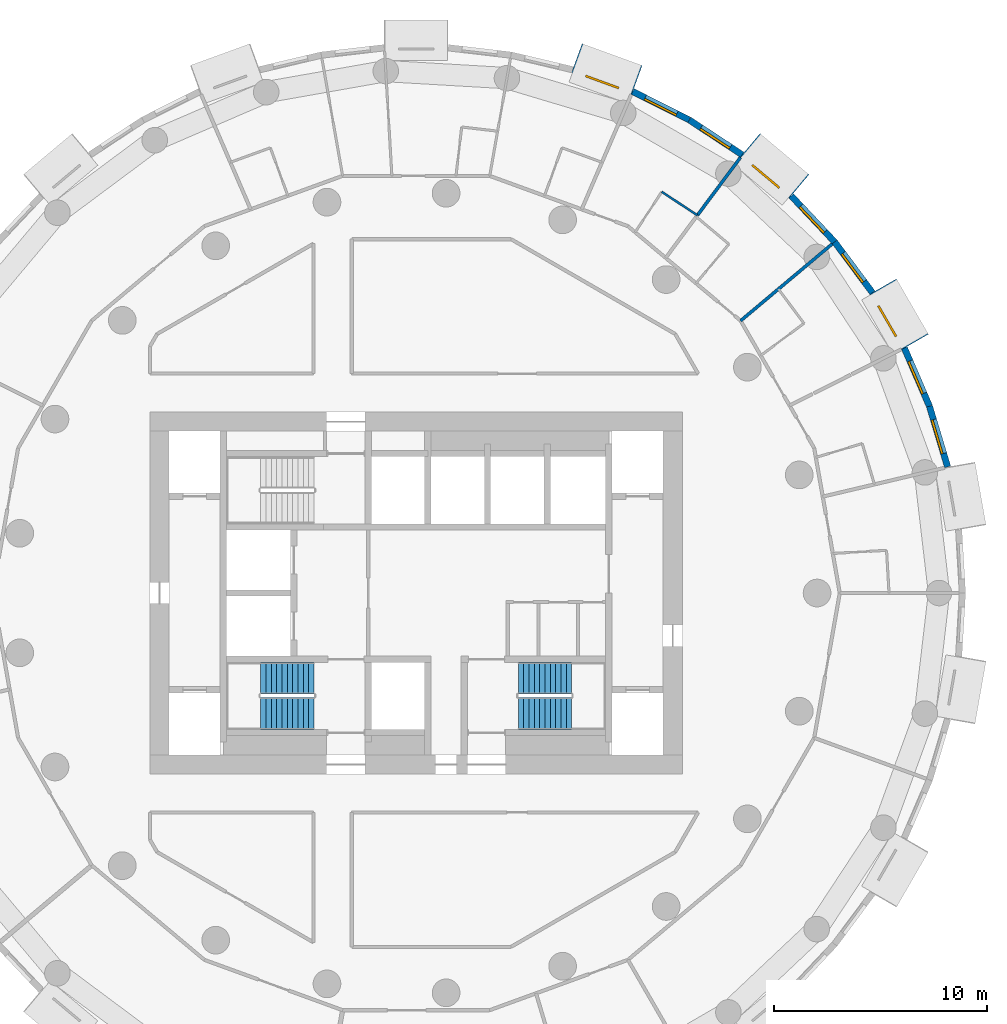
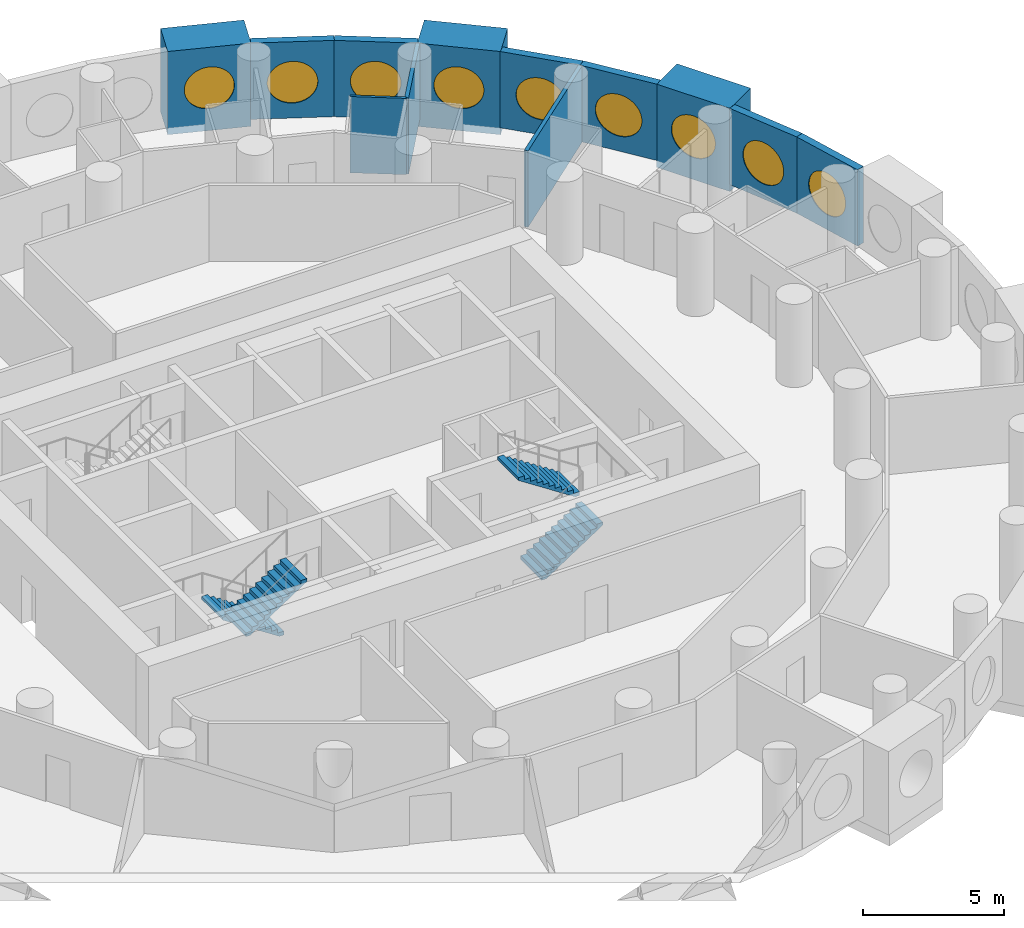
# One storey, part 8 of 10: 12 walls, 9 windows, 4 stair flights, 9 openings, 2 elements without a shape of their own.
"""IFC4 building model written with IfcOpenShell, lengths in metres."""

from ifc_helpers import new_model, si_unit, direction, frame, frame_2d, origin, origin_2d, place, context, subcontext, project, spatial, polyline, rectangle, circle, outline, extrude, material, layer, layer_set, type_object, element, fill, aggregate, save


model = new_model("IFC4")

# Units and contexts
model_context = context("Model", 3, precision=1e-05, world=origin(), true_north=direction((0.0, 1.0)))
body_context = subcontext(model_context, "Body", "Model", "MODEL_VIEW")
ifc_project = project(units=[si_unit("LENGTHUNIT", "METRE"), si_unit("AREAUNIT", "SQUARE_METRE"), si_unit("VOLUMEUNIT", "CUBIC_METRE"), si_unit("PLANEANGLEUNIT", "RADIAN"), si_unit("MASSUNIT", "GRAM", prefix="KILO")], contexts=[model_context])

# Site, building, storey
site_placement = place(None, origin())
site = spatial("IfcSite", under=ifc_project, at=site_placement, CompositionType="ELEMENT")
building_placement = place(site_placement, origin())
building = spatial("IfcBuilding", under=site, at=building_placement, Name="Tracery Tower", CompositionType="ELEMENT")
storey_placement = place(building_placement, frame((0.0, 0.0, 158.39990234375)))
storey = spatial("IfcBuildingStorey", under=building, at=storey_placement, Name="L40", CompositionType="ELEMENT", Elevation=158.39990234375)

# Wall, opening, window
ifc_material_1 = material(Name="Precast concrete C50/60", Category="concrete")
ifc_layer_1 = layer(ifc_material_1, 1.449951171875)
ifc_layer_set_1 = layer_set([ifc_layer_1], Name="Deep-set bay unit 3000 x 3600, slab edge 300")
wall_type_1 = type_object("IfcWallType", Name="Deep-set bay unit 3000 x 3600, slab edge 300", PredefinedType="ELEMENTEDWALL", material=ifc_layer_set_1)
wall_1_placement = place(storey_placement, frame((23.421630859375, 11.79052734375, -0.2998046875), z_axis=(0.0, 0.0, 1.0), x_axis=(-0.499990139034, 0.866031096941, 0.0)))
wall_1 = element("IfcWall", 1, at=wall_1_placement, inside=storey, type_object=wall_type_1, Name="Deep-set bay unit 5 at L40", PredefinedType="ELEMENTEDWALL", context=body_context, shape_type="SweptSolid", body=[
    extrude(rectangle(XDim=3.0, YDim=1.449951171875, at=frame_2d((1.5, 0.0))), origin(), (0.0, 0.0, 1.0), 3.599853515625),
])
opening_1_placement = place(wall_1_placement, frame((1.5, 0.0, 1.85009765625)))
opening_1 = element("IfcOpeningElement", 2, at=opening_1_placement, cuts=wall_1, Name="Opening WN1", PredefinedType="OPENING", context=body_context, shape_type="SweptSolid", body=[
    extrude(circle(Radius=0.9000244140625, at=origin_2d()), frame((0.0, 0.73486328125, 0.0), z_axis=(0.0, -1.0, 0.0), x_axis=(1.0, 0.0, 0.0)), (0.0, 0.0, 1.0), 1.469970703125),
])
ifc_material_2 = material(Name="Aluminium frame with tinted double glazing", Category="aluminium")
window_type = type_object("IfcWindowType", Name="Round window 1800", PartitioningType="SINGLE_PANEL", PredefinedType="WINDOW", material=ifc_material_2)
window_1_placement = place(opening_1_placement, origin())
window_1 = element("IfcWindow", 3, at=window_1_placement, inside=storey, type_object=window_type, Name="Round window 5 at L40", OverallHeight=1.800048828125, OverallWidth=1.800048828125, PartitioningType="SINGLE_PANEL", PredefinedType="WINDOW", context=body_context, shape_type="SweptSolid", body=[
    extrude(circle(Radius=0.9000244140625, at=origin_2d()), frame((0.0, 0.69482421875, 0.0), z_axis=(0.0, -1.0, 0.0), x_axis=(1.0, 0.0, 0.0)), (0.0, 0.0, 1.0), 0.10009765625),
])
fill(opening_1, window_1)

wall_2_placement = place(storey_placement, frame((17.9765625, 19.090087890625, -0.2998046875), z_axis=(0.0, 0.0, 1.0), x_axis=(-0.766022196139, 0.642814121673, 0.0)))
wall_2 = element("IfcWall", 4, at=wall_2_placement, inside=storey, type_object=wall_type_1, Name="Deep-set bay unit 8 at L40", PredefinedType="ELEMENTEDWALL", context=body_context, shape_type="SweptSolid", body=[
    extrude(rectangle(XDim=3.0, YDim=1.449951171875, at=frame_2d((1.5, 0.0))), origin(), (0.0, 0.0, 1.0), 3.599853515625),
])
opening_2_placement = place(wall_2_placement, frame((1.5, 0.0, 1.85009765625)))
opening_2 = element("IfcOpeningElement", 5, at=opening_2_placement, cuts=wall_2, Name="Opening WN1", PredefinedType="OPENING", context=body_context, shape_type="SweptSolid", body=[
    extrude(circle(Radius=0.9000244140625, at=origin_2d()), frame((0.0, 0.73486328125, 0.0), z_axis=(0.0, -1.0, 0.0), x_axis=(1.0, 0.0, 0.0)), (0.0, 0.0, 1.0), 1.469970703125),
])
window_2_placement = place(opening_2_placement, origin())
window_2 = element("IfcWindow", 6, at=window_2_placement, inside=storey, type_object=window_type, Name="Round window 8 at L40", OverallHeight=1.800048828125, OverallWidth=1.800048828125, PartitioningType="SINGLE_PANEL", PredefinedType="WINDOW", context=body_context, shape_type="SweptSolid", body=[
    extrude(circle(Radius=0.9000244140625, at=origin_2d()), frame((0.0, 0.69482421875, 0.0), z_axis=(0.0, -1.0, 0.0), x_axis=(1.0, 0.0, 0.0)), (0.0, 0.0, 1.0), 0.10009765625),
])
fill(opening_2, window_2)

wall_3_placement = place(storey_placement, frame((10.36328125, 24.087158203125, -0.2998046875), z_axis=(0.0, 0.0, 1.0), x_axis=(-0.939686455819, 0.342037080957, 0.0)))
wall_3 = element("IfcWall", 7, at=wall_3_placement, inside=storey, type_object=wall_type_1, Name="Deep-set bay unit 11 at L40", PredefinedType="ELEMENTEDWALL", context=body_context, shape_type="SweptSolid", body=[
    extrude(rectangle(XDim=3.0, YDim=1.449951171875, at=frame_2d((1.5, 0.0))), origin(), (0.0, 0.0, 1.0), 3.599853515625),
])
opening_3_placement = place(wall_3_placement, frame((1.5, 0.0, 1.85009765625)))
opening_3 = element("IfcOpeningElement", 8, at=opening_3_placement, cuts=wall_3, Name="Opening WN1", PredefinedType="OPENING", context=body_context, shape_type="SweptSolid", body=[
    extrude(circle(Radius=0.9000244140625, at=origin_2d()), frame((0.0, 0.73486328125, 0.0), z_axis=(0.0, -1.0, 0.0), x_axis=(1.0, 0.0, 0.0)), (0.0, 0.0, 1.0), 1.469970703125),
])
window_3_placement = place(opening_3_placement, origin())
window_3 = element("IfcWindow", 9, at=window_3_placement, inside=storey, type_object=window_type, Name="Round window 11 at L40", OverallHeight=1.800048828125, OverallWidth=1.800048828125, PartitioningType="SINGLE_PANEL", PredefinedType="WINDOW", context=body_context, shape_type="SweptSolid", body=[
    extrude(circle(Radius=0.9000244140625, at=origin_2d()), frame((0.0, 0.69482421875, 0.0), z_axis=(0.0, -1.0, 0.0), x_axis=(1.0, 0.0, 0.0)), (0.0, 0.0, 1.0), 0.10009765625),
])
fill(opening_3, window_3)

ifc_material_3 = material(Name="Precast concrete C50/60", Category="concrete")
ifc_layer_2 = layer(ifc_material_3, 0.300048828125)
ifc_layer_set_2 = layer_set([ifc_layer_2], Name="Facade panel 3000 x 3300")
wall_type_2 = type_object("IfcWallType", Name="Facade panel 3000 x 3300", PredefinedType="SOLIDWALL", material=ifc_layer_set_2)
wall_4_placement = place(storey_placement, frame((24.953369140625, 5.924072265625, 0.0), z_axis=(0.0, 0.0, 1.0), x_axis=(-0.286782750849, 0.957995643944, 0.0)))
wall_4 = element("IfcWall", 10, at=wall_4_placement, inside=storey, type_object=wall_type_2, Name="Facade panel 3 at L40", PredefinedType="SOLIDWALL", context=body_context, shape_type="SweptSolid", body=[
    extrude(rectangle(XDim=2.97265625, YDim=0.300048828125, at=frame_2d((1.486328125, 0.0))), origin(), (0.0, 0.0, 1.0), 3.300048828125),
])
opening_4_placement = place(wall_4_placement, frame((1.486328125, 0.0, 1.5498046875)))
opening_4 = element("IfcOpeningElement", 11, at=opening_4_placement, cuts=wall_4, Name="Opening WN1", PredefinedType="OPENING", context=body_context, shape_type="SweptSolid", body=[
    extrude(circle(Radius=0.9000244140625, at=origin_2d()), frame((0.0, 0.159912109375, 0.0), z_axis=(0.0, -1.0, 0.0), x_axis=(1.0, 0.0, 0.0)), (0.0, 0.0, 1.0), 0.320068359375),
])
window_4_placement = place(opening_4_placement, origin())
window_4 = element("IfcWindow", 12, at=window_4_placement, inside=storey, type_object=window_type, Name="Round window 3 at L40", OverallHeight=1.800048828125, OverallWidth=1.800048828125, PartitioningType="SINGLE_PANEL", PredefinedType="WINDOW", context=body_context, shape_type="SweptSolid", body=[
    extrude(circle(Radius=0.9000244140625, at=origin_2d()), frame((0.0, 0.1201171875, 0.0), z_axis=(0.0, -1.0, 0.0), x_axis=(1.0, 0.0, 0.0)), (0.0, 0.0, 1.0), 0.10009765625),
])
fill(opening_4, window_4)

wall_5_placement = place(storey_placement, frame((24.100830078125, 8.77197265625, 0.0), z_axis=(0.0, 0.0, 1.0), x_axis=(-0.396148129016, 0.918186614952, 0.0)))
wall_5 = element("IfcWall", 13, at=wall_5_placement, inside=storey, type_object=wall_type_2, Name="Facade panel 4 at L40", PredefinedType="SOLIDWALL", context=body_context, shape_type="SweptSolid", body=[
    extrude(rectangle(XDim=2.972900390625, YDim=0.300048828125, at=frame_2d((1.486328125, 0.0))), origin(), (0.0, 0.0, 1.0), 3.300048828125),
])
opening_5_placement = place(wall_5_placement, frame((1.486328125, 0.0, 1.5498046875)))
opening_5 = element("IfcOpeningElement", 14, at=opening_5_placement, cuts=wall_5, Name="Opening WN1", PredefinedType="OPENING", context=body_context, shape_type="SweptSolid", body=[
    extrude(circle(Radius=0.9000244140625, at=origin_2d()), frame((0.0, 0.159912109375, 0.0), z_axis=(0.0, -1.0, 0.0), x_axis=(1.0, 0.0, 0.0)), (0.0, 0.0, 1.0), 0.320068359375),
])
window_5_placement = place(opening_5_placement, origin())
window_5 = element("IfcWindow", 15, at=window_5_placement, inside=storey, type_object=window_type, Name="Round window 4 at L40", OverallHeight=1.800048828125, OverallWidth=1.800048828125, PartitioningType="SINGLE_PANEL", PredefinedType="WINDOW", context=body_context, shape_type="SweptSolid", body=[
    extrude(circle(Radius=0.9000244140625, at=origin_2d()), frame((0.0, 0.1201171875, 0.0), z_axis=(0.0, -1.0, 0.0), x_axis=(1.0, 0.0, 0.0)), (0.0, 0.0, 1.0), 0.10009765625),
])
fill(opening_5, window_5)

wall_6_placement = place(storey_placement, frame((21.42236328125, 14.101318359375, 0.0), z_axis=(0.0, 0.0, 1.0), x_axis=(-0.597197580538, 0.80209416517, 0.0)))
wall_6 = element("IfcWall", 16, at=wall_6_placement, inside=storey, type_object=wall_type_2, Name="Facade panel 6 at L40", PredefinedType="SOLIDWALL", context=body_context, shape_type="SweptSolid", body=[
    extrude(rectangle(XDim=2.972900390625, YDim=0.300048828125, at=frame_2d((1.486328125, 0.0))), origin(), (0.0, 0.0, 1.0), 3.300048828125),
])
opening_6_placement = place(wall_6_placement, frame((1.486328125, 0.0, 1.5498046875)))
opening_6 = element("IfcOpeningElement", 17, at=opening_6_placement, cuts=wall_6, Name="Opening WN1", PredefinedType="OPENING", context=body_context, shape_type="SweptSolid", body=[
    extrude(circle(Radius=0.9000244140625, at=origin_2d()), frame((0.0, 0.159912109375, 0.0), z_axis=(0.0, -1.0, 0.0), x_axis=(1.0, 0.0, 0.0)), (0.0, 0.0, 1.0), 0.320068359375),
])
window_6_placement = place(opening_6_placement, origin())
window_6 = element("IfcWindow", 18, at=window_6_placement, inside=storey, type_object=window_type, Name="Round window 6 at L40", OverallHeight=1.800048828125, OverallWidth=1.800048828125, PartitioningType="SINGLE_PANEL", PredefinedType="WINDOW", context=body_context, shape_type="SweptSolid", body=[
    extrude(circle(Radius=0.9000244140625, at=origin_2d()), frame((0.0, 0.1201171875, 0.0), z_axis=(0.0, -1.0, 0.0), x_axis=(1.0, 0.0, 0.0)), (0.0, 0.0, 1.0), 0.10009765625),
])
fill(opening_6, window_6)

wall_7_placement = place(storey_placement, frame((19.64697265625, 16.48583984375, 0.0), z_axis=(0.0, 0.0, 1.0), x_axis=(-0.686235184166, 0.727379730273, 0.0)))
wall_7 = element("IfcWall", 19, at=wall_7_placement, inside=storey, type_object=wall_type_2, Name="Facade panel 7 at L40", PredefinedType="SOLIDWALL", context=body_context, shape_type="SweptSolid", body=[
    extrude(rectangle(XDim=2.972900390625, YDim=0.300048828125, at=frame_2d((1.486328125, 0.0))), origin(), (0.0, 0.0, 1.0), 3.300048828125),
])
opening_7_placement = place(wall_7_placement, frame((1.486328125, 0.0, 1.5498046875)))
opening_7 = element("IfcOpeningElement", 20, at=opening_7_placement, cuts=wall_7, Name="Opening WN1", PredefinedType="OPENING", context=body_context, shape_type="SweptSolid", body=[
    extrude(circle(Radius=0.9000244140625, at=origin_2d()), frame((0.0, 0.159912109375, 0.0), z_axis=(0.0, -1.0, 0.0), x_axis=(1.0, 0.0, 0.0)), (0.0, 0.0, 1.0), 0.320068359375),
])
window_7_placement = place(opening_7_placement, origin())
window_7 = element("IfcWindow", 21, at=window_7_placement, inside=storey, type_object=window_type, Name="Round window 7 at L40", OverallHeight=1.800048828125, OverallWidth=1.800048828125, PartitioningType="SINGLE_PANEL", PredefinedType="WINDOW", context=body_context, shape_type="SweptSolid", body=[
    extrude(circle(Radius=0.9000244140625, at=origin_2d()), frame((0.0, 0.1201171875, 0.0), z_axis=(0.0, -1.0, 0.0), x_axis=(1.0, 0.0, 0.0)), (0.0, 0.0, 1.0), 0.10009765625),
])
fill(opening_7, window_7)

wall_8_placement = place(storey_placement, frame((15.3076171875, 20.57763671875, 0.0), z_axis=(0.0, 0.0, 1.0), x_axis=(-0.835470659512, 0.549535055382, 0.0)))
wall_8 = element("IfcWall", 22, at=wall_8_placement, inside=storey, type_object=wall_type_2, Name="Facade panel 9 at L40", PredefinedType="SOLIDWALL", context=body_context, shape_type="SweptSolid", body=[
    extrude(rectangle(XDim=2.97314453125, YDim=0.300048828125, at=frame_2d((1.486572265625, 0.0))), origin(), (0.0, 0.0, 1.0), 3.300048828125),
])
opening_8_placement = place(wall_8_placement, frame((1.486328125, 0.0, 1.5498046875)))
opening_8 = element("IfcOpeningElement", 23, at=opening_8_placement, cuts=wall_8, Name="Opening WN1", PredefinedType="OPENING", context=body_context, shape_type="SweptSolid", body=[
    extrude(circle(Radius=0.9000244140625, at=origin_2d()), frame((0.0, 0.159912109375, 0.0), z_axis=(0.0, -1.0, 0.0), x_axis=(1.0, 0.0, 0.0)), (0.0, 0.0, 1.0), 0.320068359375),
])
window_8_placement = place(opening_8_placement, origin())
window_8 = element("IfcWindow", 24, at=window_8_placement, inside=storey, type_object=window_type, Name="Round window 9 at L40", OverallHeight=1.800048828125, OverallWidth=1.800048828125, PartitioningType="SINGLE_PANEL", PredefinedType="WINDOW", context=body_context, shape_type="SweptSolid", body=[
    extrude(circle(Radius=0.9000244140625, at=origin_2d()), frame((0.0, 0.1201171875, 0.0), z_axis=(0.0, -1.0, 0.0), x_axis=(1.0, 0.0, 0.0)), (0.0, 0.0, 1.0), 0.10009765625),
])
fill(opening_8, window_8)

wall_9_placement = place(storey_placement, frame((12.82373046875, 22.21142578125, 0.0), z_axis=(0.0, 0.0, 1.0), x_axis=(-0.893637442555, 0.448789618045, 0.0)))
wall_9 = element("IfcWall", 25, at=wall_9_placement, inside=storey, type_object=wall_type_2, Name="Facade panel 10 at L40", PredefinedType="SOLIDWALL", context=body_context, shape_type="SweptSolid", body=[
    extrude(rectangle(XDim=2.972900390625, YDim=0.300048828125, at=frame_2d((1.486328125, 0.0))), origin(), (0.0, 0.0, 1.0), 3.300048828125),
])
opening_9_placement = place(wall_9_placement, frame((1.486328125, 0.0, 1.5498046875)))
opening_9 = element("IfcOpeningElement", 26, at=opening_9_placement, cuts=wall_9, Name="Opening WN1", PredefinedType="OPENING", context=body_context, shape_type="SweptSolid", body=[
    extrude(circle(Radius=0.9000244140625, at=origin_2d()), frame((0.0, 0.159912109375, 0.0), z_axis=(0.0, -1.0, 0.0), x_axis=(1.0, 0.0, 0.0)), (0.0, 0.0, 1.0), 0.320068359375),
])
window_9_placement = place(opening_9_placement, origin())
window_9 = element("IfcWindow", 27, at=window_9_placement, inside=storey, type_object=window_type, Name="Round window 10 at L40", OverallHeight=1.800048828125, OverallWidth=1.800048828125, PartitioningType="SINGLE_PANEL", PredefinedType="WINDOW", context=body_context, shape_type="SweptSolid", body=[
    extrude(circle(Radius=0.9000244140625, at=origin_2d()), frame((0.0, 0.1201171875, 0.0), z_axis=(0.0, -1.0, 0.0), x_axis=(1.0, 0.0, 0.0)), (0.0, 0.0, 1.0), 0.10009765625),
])
fill(opening_9, window_9)

# Walls
ifc_material_4 = material(Name="Plasterboard on steel studs", Category="steel")
ifc_layer_3 = layer(ifc_material_4, 0.10009765625)
ifc_layer_set_3 = layer_set([ifc_layer_3], Name="Partition 100 wet wall")
wall_type_3 = type_object("IfcWallType", Name="Partition 100 wet wall", PredefinedType="PARTITIONING", material=ifc_layer_set_3)
wall_10_placement = place(storey_placement, frame((11.531005859375, 18.8369140625, 0.0), z_axis=(0.0, 0.0, 1.0), x_axis=(0.835392041163, -0.549654562032, 0.0)))
element("IfcWall", 28, at=wall_10_placement, inside=storey, type_object=wall_type_3, Name="Wet wall RB4-055", PredefinedType="PARTITIONING", context=body_context, shape_type="SweptSolid", body=[
    extrude(rectangle(XDim=2.002685546875, YDim=0.10009765625, at=frame_2d((1.00146484375, 0.0))), origin(), (0.0, 0.0, 1.0), 3.300048828125),
])
ifc_material_5 = material(Name="Plasterboard on steel studs", Category="steel")
ifc_layer_4 = layer(ifc_material_5, 0.14990234375)
ifc_layer_set_4 = layer_set([ifc_layer_4], Name="Partition 150 acoustic unit wall")
wall_type_4 = type_object("IfcWallType", Name="Partition 150 acoustic unit wall", PredefinedType="PARTITIONING", material=ifc_layer_set_4)
wall_11_placement = place(storey_placement, frame((15.235107421875, 12.78369140625, 0.0), z_axis=(0.0, 0.0, 1.0), x_axis=(0.766069165353, 0.642758145725, 0.0)))
element("IfcWall", 29, at=wall_11_placement, inside=storey, type_object=wall_type_4, Name="Unit wall RB4-050", PredefinedType="PARTITIONING", context=body_context, shape_type="SweptSolid", body=[
    extrude(rectangle(XDim=5.60888671875, YDim=0.14990234375, at=frame_2d((2.804443359375, 0.0))), origin(), (0.0, 0.0, 1.0), 3.300048828125),
])
wall_12_placement = place(storey_placement, frame((13.201904296875, 17.73291015625, 0.0), z_axis=(0.0, 0.0, 1.0), x_axis=(0.597149819296, 0.802129723495, 0.0)))
element("IfcWall", 30, at=wall_12_placement, inside=storey, type_object=wall_type_4, Name="Unit wall RB4-053", PredefinedType="PARTITIONING", context=body_context, shape_type="SweptSolid", body=[
    extrude(rectangle(XDim=3.3896484375, YDim=0.14990234375, at=frame_2d((1.69482421875, 0.0))), origin(), (0.0, 0.0, 1.0), 3.300048828125),
])

# Stair, stair flights
ifc_material_6 = material(Name="Concrete C32/40", Category="concrete")
stair_type = type_object("IfcStairType", Name="Core stair 22 risers", PredefinedType="HALF_TURN_STAIR", material=ifc_material_6)
stair_1_placement = place(storey_placement, origin())
stair_1 = element("IfcStair", 31, at=stair_1_placement, inside=storey, type_object=stair_type, Name="L40 stair ST1", PredefinedType="HALF_TURN_STAIR")
ifc_material_7 = material(Name="Concrete C32/40", Category="concrete")
stair_flight_type = type_object("IfcStairFlightType", Name="Core stair flight 11 risers", PredefinedType="STRAIGHT", material=ifc_material_7)
stair_flight_1_placement = place(storey_placement, frame((-4.800048828125, -4.0, 0.0), z_axis=(0.0, 0.0, 1.0), x_axis=(-1.0, 0.0, 0.0)))
stair_flight_1 = element("IfcStairFlight", 32, at=stair_flight_1_placement, type_object=stair_flight_type, Name="ST1 flight 1", NumberOfRisers=11, NumberOfTreads=10, PredefinedType="STRAIGHT", RiserHeight=0.163636364, TreadLength=0.25, context=body_context, shape_type="SweptSolid", body=[
    extrude(outline(polyline([(0.0, 0.0), (0.0, 0.002685546875), (0.0, 0.00537109375), (0.0, 0.008056640625), (0.0, 0.0107421875), (0.0, 0.013427734375), (0.0, 0.01611328125), (0.0, 0.018798828125), (0.0, 0.021484375), (0.0, 0.024169921875), (0.0, 0.02685546875), (0.0, 0.029541015625), (0.0, 0.0322265625), (0.0, 0.034912109375), (0.0, 0.03759765625), (0.0, 0.040283203125), (0.0, 0.04296875), (0.0, 0.045654296875), (0.0, 0.04833984375), (0.0, 0.051025390625), (0.0, 0.0537109375), (0.0, 0.056396484375), (0.0, 0.05908203125), (0.0, 0.061767578125), (0.0, 0.064453125), (0.0, 0.067138671875), (0.0, 0.06982421875), (0.0, 0.072509765625), (0.0, 0.0751953125), (0.0, 0.077880859375), (0.0, 0.08056640625), (0.0, 0.083251953125), (0.0, 0.0859375), (0.0, 0.088623046875), (0.0, 0.09130859375), (0.0, 0.093994140625), (0.0, 0.0966796875), (0.0, 0.099365234375), (0.0, 0.10205078125), (0.0, 0.104736328125), (0.0, 0.107421875), (0.0, 0.10986328125), (0.0, 0.112548828125), (0.0, 0.115234375), (0.0, 0.117919921875), (0.0, 0.12060546875), (0.0, 0.123291015625), (0.0, 0.1259765625), (0.0, 0.128662109375), (0.0, 0.13134765625), (0.0, 0.134033203125), (0.0, 0.13671875), (0.0, 0.139404296875), (0.0, 0.14208984375), (0.0, 0.144775390625), (0.0, 0.1474609375), (0.0, 0.150146484375), (0.0, 0.15283203125), (0.0, 0.155517578125), (0.0, 0.158203125), (0.0, 0.160888671875), (0.0, 0.16357421875), (0.25, 0.16357421875), (0.25, 0.327392578125), (0.5, 0.327392578125), (0.5, 0.490966796875), (0.75, 0.490966796875), (0.75, 0.654541015625), (1.0, 0.654541015625), (1.0, 0.818115234375), (1.25, 0.818115234375), (1.25, 0.98193359375), (1.5, 0.98193359375), (1.5, 1.1455078125), (1.75, 1.1455078125), (1.75, 1.30908203125), (2.0, 1.30908203125), (2.0, 1.47265625), (2.25, 1.47265625), (2.25, 1.636474609375), (2.5, 1.636474609375), (2.5, 1.634521484375), (2.5, 1.63232421875), (2.5, 1.63037109375), (2.5, 1.62841796875), (2.5, 1.62646484375), (2.5, 1.62451171875), (2.5, 1.62255859375), (2.5, 1.62060546875), (2.5, 1.61865234375), (2.5, 1.61669921875), (2.5, 1.61474609375), (2.5, 1.61279296875), (2.5, 1.61083984375), (2.5, 1.60888671875), (2.5, 1.60693359375), (2.5, 1.60498046875), (2.5, 1.60302734375), (2.5, 1.60107421875), (2.5, 1.59912109375), (2.5, 1.59716796875), (2.5, 1.59521484375), (2.5, 1.59326171875), (2.5, 1.59130859375), (2.5, 1.58935546875), (2.5, 1.58740234375), (2.5, 1.58544921875), (2.5, 1.58349609375), (2.5, 1.58154296875), (2.5, 1.57958984375), (2.5, 1.57763671875), (2.5, 1.57568359375), (2.5, 1.573486328125), (2.5, 1.571533203125), (2.5, 1.569580078125), (2.5, 1.567626953125), (2.5, 1.565673828125), (2.5, 1.563720703125), (2.5, 1.561767578125), (2.5, 1.559814453125), (2.5, 1.557861328125), (2.5, 1.555908203125), (2.5, 1.553955078125), (2.5, 1.552001953125), (2.5, 1.550048828125), (2.5, 1.548095703125), (2.5, 1.546142578125), (2.5, 1.544189453125), (2.5, 1.542236328125), (2.5, 1.540283203125), (2.5, 1.538330078125), (2.5, 1.536376953125), (2.5, 1.534423828125), (2.5, 1.532470703125), (2.5, 1.530517578125), (2.5, 1.528564453125), (2.5, 1.526611328125), (2.5, 1.524658203125), (2.5, 1.522705078125), (2.5, 1.520751953125), (2.5, 1.518798828125), (2.5, 1.516845703125), (0.182861328125, 0.0), (0.0, 0.0)])), frame((0.0, 0.75, 0.0), z_axis=(0.0, -1.0, 0.0), x_axis=(1.0, 0.0, 0.0)), (0.0, 0.0, 1.0), 1.5),
])
stair_flight_2_placement = place(storey_placement, frame((-7.300048828125, -5.64990234375, 1.800048828125), z_axis=(0.0, 0.0, 1.0), x_axis=(1.0, 0.0, 0.0)))
stair_flight_2 = element("IfcStairFlight", 33, at=stair_flight_2_placement, type_object=stair_flight_type, Name="ST1 flight 2", NumberOfRisers=11, NumberOfTreads=10, PredefinedType="STRAIGHT", RiserHeight=0.163636364, TreadLength=0.25, context=body_context, shape_type="SweptSolid", body=[
    extrude(outline(polyline([(0.0, 0.0), (0.0, 0.002685546875), (0.0, 0.00537109375), (0.0, 0.008056640625), (0.0, 0.0107421875), (0.0, 0.013427734375), (0.0, 0.01611328125), (0.0, 0.018798828125), (0.0, 0.021484375), (0.0, 0.024169921875), (0.0, 0.02685546875), (0.0, 0.029541015625), (0.0, 0.0322265625), (0.0, 0.034912109375), (0.0, 0.03759765625), (0.0, 0.040283203125), (0.0, 0.04296875), (0.0, 0.045654296875), (0.0, 0.04833984375), (0.0, 0.051025390625), (0.0, 0.0537109375), (0.0, 0.056396484375), (0.0, 0.05908203125), (0.0, 0.061767578125), (0.0, 0.064453125), (0.0, 0.067138671875), (0.0, 0.06982421875), (0.0, 0.072509765625), (0.0, 0.0751953125), (0.0, 0.077880859375), (0.0, 0.08056640625), (0.0, 0.083251953125), (0.0, 0.0859375), (0.0, 0.088623046875), (0.0, 0.09130859375), (0.0, 0.093994140625), (0.0, 0.0966796875), (0.0, 0.099365234375), (0.0, 0.10205078125), (0.0, 0.104736328125), (0.0, 0.107421875), (0.0, 0.10986328125), (0.0, 0.112548828125), (0.0, 0.115234375), (0.0, 0.117919921875), (0.0, 0.12060546875), (0.0, 0.123291015625), (0.0, 0.1259765625), (0.0, 0.128662109375), (0.0, 0.13134765625), (0.0, 0.134033203125), (0.0, 0.13671875), (0.0, 0.139404296875), (0.0, 0.14208984375), (0.0, 0.144775390625), (0.0, 0.1474609375), (0.0, 0.150146484375), (0.0, 0.15283203125), (0.0, 0.155517578125), (0.0, 0.158203125), (0.0, 0.160888671875), (0.0, 0.16357421875), (0.25, 0.16357421875), (0.25, 0.327392578125), (0.5, 0.327392578125), (0.5, 0.490966796875), (0.75, 0.490966796875), (0.75, 0.654541015625), (1.0, 0.654541015625), (1.0, 0.818115234375), (1.25, 0.818115234375), (1.25, 0.98193359375), (1.5, 0.98193359375), (1.5, 1.1455078125), (1.75, 1.1455078125), (1.75, 1.30908203125), (2.0, 1.30908203125), (2.0, 1.47265625), (2.25, 1.47265625), (2.25, 1.636474609375), (2.5, 1.636474609375), (2.5, 1.634521484375), (2.5, 1.63232421875), (2.5, 1.63037109375), (2.5, 1.62841796875), (2.5, 1.62646484375), (2.5, 1.62451171875), (2.5, 1.62255859375), (2.5, 1.62060546875), (2.5, 1.61865234375), (2.5, 1.61669921875), (2.5, 1.61474609375), (2.5, 1.61279296875), (2.5, 1.61083984375), (2.5, 1.60888671875), (2.5, 1.60693359375), (2.5, 1.60498046875), (2.5, 1.60302734375), (2.5, 1.60107421875), (2.5, 1.59912109375), (2.5, 1.59716796875), (2.5, 1.59521484375), (2.5, 1.59326171875), (2.5, 1.59130859375), (2.5, 1.58935546875), (2.5, 1.58740234375), (2.5, 1.58544921875), (2.5, 1.58349609375), (2.5, 1.58154296875), (2.5, 1.57958984375), (2.5, 1.57763671875), (2.5, 1.57568359375), (2.5, 1.573486328125), (2.5, 1.571533203125), (2.5, 1.569580078125), (2.5, 1.567626953125), (2.5, 1.565673828125), (2.5, 1.563720703125), (2.5, 1.561767578125), (2.5, 1.559814453125), (2.5, 1.557861328125), (2.5, 1.555908203125), (2.5, 1.553955078125), (2.5, 1.552001953125), (2.5, 1.550048828125), (2.5, 1.548095703125), (2.5, 1.546142578125), (2.5, 1.544189453125), (2.5, 1.542236328125), (2.5, 1.540283203125), (2.5, 1.538330078125), (2.5, 1.536376953125), (2.5, 1.534423828125), (2.5, 1.532470703125), (2.5, 1.530517578125), (2.5, 1.528564453125), (2.5, 1.526611328125), (2.5, 1.524658203125), (2.5, 1.522705078125), (2.5, 1.520751953125), (2.5, 1.518798828125), (2.5, 1.516845703125), (0.182861328125, 0.0), (0.0, 0.0)])), frame((0.0, 0.75, 0.0), z_axis=(0.0, -1.0, 0.0), x_axis=(1.0, 0.0, 0.0)), (0.0, 0.0, 1.0), 1.5),
])
aggregate(stair_1, [stair_flight_1, stair_flight_2])

stair_2_placement = place(storey_placement, origin())
stair_2 = element("IfcStair", 34, at=stair_2_placement, inside=storey, type_object=stair_type, Name="L40 stair ST2", PredefinedType="HALF_TURN_STAIR")
stair_flight_3_placement = place(storey_placement, frame((4.800048828125, -5.64990234375, 0.0), z_axis=(0.0, 0.0, 1.0), x_axis=(1.0, 0.0, 0.0)))
stair_flight_3 = element("IfcStairFlight", 35, at=stair_flight_3_placement, type_object=stair_flight_type, Name="ST2 flight 1", NumberOfRisers=11, NumberOfTreads=10, PredefinedType="STRAIGHT", RiserHeight=0.163636364, TreadLength=0.25, context=body_context, shape_type="SweptSolid", body=[
    extrude(outline(polyline([(0.0, 0.0), (0.0, 0.002685546875), (0.0, 0.00537109375), (0.0, 0.008056640625), (0.0, 0.0107421875), (0.0, 0.013427734375), (0.0, 0.01611328125), (0.0, 0.018798828125), (0.0, 0.021484375), (0.0, 0.024169921875), (0.0, 0.02685546875), (0.0, 0.029541015625), (0.0, 0.0322265625), (0.0, 0.034912109375), (0.0, 0.03759765625), (0.0, 0.040283203125), (0.0, 0.04296875), (0.0, 0.045654296875), (0.0, 0.04833984375), (0.0, 0.051025390625), (0.0, 0.0537109375), (0.0, 0.056396484375), (0.0, 0.05908203125), (0.0, 0.061767578125), (0.0, 0.064453125), (0.0, 0.067138671875), (0.0, 0.06982421875), (0.0, 0.072509765625), (0.0, 0.0751953125), (0.0, 0.077880859375), (0.0, 0.08056640625), (0.0, 0.083251953125), (0.0, 0.0859375), (0.0, 0.088623046875), (0.0, 0.09130859375), (0.0, 0.093994140625), (0.0, 0.0966796875), (0.0, 0.099365234375), (0.0, 0.10205078125), (0.0, 0.104736328125), (0.0, 0.107421875), (0.0, 0.10986328125), (0.0, 0.112548828125), (0.0, 0.115234375), (0.0, 0.117919921875), (0.0, 0.12060546875), (0.0, 0.123291015625), (0.0, 0.1259765625), (0.0, 0.128662109375), (0.0, 0.13134765625), (0.0, 0.134033203125), (0.0, 0.13671875), (0.0, 0.139404296875), (0.0, 0.14208984375), (0.0, 0.144775390625), (0.0, 0.1474609375), (0.0, 0.150146484375), (0.0, 0.15283203125), (0.0, 0.155517578125), (0.0, 0.158203125), (0.0, 0.160888671875), (0.0, 0.16357421875), (0.25, 0.16357421875), (0.25, 0.327392578125), (0.5, 0.327392578125), (0.5, 0.490966796875), (0.75, 0.490966796875), (0.75, 0.654541015625), (1.0, 0.654541015625), (1.0, 0.818115234375), (1.25, 0.818115234375), (1.25, 0.98193359375), (1.5, 0.98193359375), (1.5, 1.1455078125), (1.75, 1.1455078125), (1.75, 1.30908203125), (2.0, 1.30908203125), (2.0, 1.47265625), (2.25, 1.47265625), (2.25, 1.636474609375), (2.5, 1.636474609375), (2.5, 1.634521484375), (2.5, 1.63232421875), (2.5, 1.63037109375), (2.5, 1.62841796875), (2.5, 1.62646484375), (2.5, 1.62451171875), (2.5, 1.62255859375), (2.5, 1.62060546875), (2.5, 1.61865234375), (2.5, 1.61669921875), (2.5, 1.61474609375), (2.5, 1.61279296875), (2.5, 1.61083984375), (2.5, 1.60888671875), (2.5, 1.60693359375), (2.5, 1.60498046875), (2.5, 1.60302734375), (2.5, 1.60107421875), (2.5, 1.59912109375), (2.5, 1.59716796875), (2.5, 1.59521484375), (2.5, 1.59326171875), (2.5, 1.59130859375), (2.5, 1.58935546875), (2.5, 1.58740234375), (2.5, 1.58544921875), (2.5, 1.58349609375), (2.5, 1.58154296875), (2.5, 1.57958984375), (2.5, 1.57763671875), (2.5, 1.57568359375), (2.5, 1.573486328125), (2.5, 1.571533203125), (2.5, 1.569580078125), (2.5, 1.567626953125), (2.5, 1.565673828125), (2.5, 1.563720703125), (2.5, 1.561767578125), (2.5, 1.559814453125), (2.5, 1.557861328125), (2.5, 1.555908203125), (2.5, 1.553955078125), (2.5, 1.552001953125), (2.5, 1.550048828125), (2.5, 1.548095703125), (2.5, 1.546142578125), (2.5, 1.544189453125), (2.5, 1.542236328125), (2.5, 1.540283203125), (2.5, 1.538330078125), (2.5, 1.536376953125), (2.5, 1.534423828125), (2.5, 1.532470703125), (2.5, 1.530517578125), (2.5, 1.528564453125), (2.5, 1.526611328125), (2.5, 1.524658203125), (2.5, 1.522705078125), (2.5, 1.520751953125), (2.5, 1.518798828125), (2.5, 1.516845703125), (0.182861328125, 0.0), (0.0, 0.0)])), frame((0.0, 0.75, 0.0), z_axis=(0.0, -1.0, 0.0), x_axis=(1.0, 0.0, 0.0)), (0.0, 0.0, 1.0), 1.5),
])
stair_flight_4_placement = place(storey_placement, frame((7.300048828125, -4.0, 1.800048828125), z_axis=(0.0, 0.0, 1.0), x_axis=(-1.0, 0.0, 0.0)))
stair_flight_4 = element("IfcStairFlight", 36, at=stair_flight_4_placement, type_object=stair_flight_type, Name="ST2 flight 2", NumberOfRisers=11, NumberOfTreads=10, PredefinedType="STRAIGHT", RiserHeight=0.163636364, TreadLength=0.25, context=body_context, shape_type="SweptSolid", body=[
    extrude(outline(polyline([(0.0, 0.0), (0.0, 0.002685546875), (0.0, 0.00537109375), (0.0, 0.008056640625), (0.0, 0.0107421875), (0.0, 0.013427734375), (0.0, 0.01611328125), (0.0, 0.018798828125), (0.0, 0.021484375), (0.0, 0.024169921875), (0.0, 0.02685546875), (0.0, 0.029541015625), (0.0, 0.0322265625), (0.0, 0.034912109375), (0.0, 0.03759765625), (0.0, 0.040283203125), (0.0, 0.04296875), (0.0, 0.045654296875), (0.0, 0.04833984375), (0.0, 0.051025390625), (0.0, 0.0537109375), (0.0, 0.056396484375), (0.0, 0.05908203125), (0.0, 0.061767578125), (0.0, 0.064453125), (0.0, 0.067138671875), (0.0, 0.06982421875), (0.0, 0.072509765625), (0.0, 0.0751953125), (0.0, 0.077880859375), (0.0, 0.08056640625), (0.0, 0.083251953125), (0.0, 0.0859375), (0.0, 0.088623046875), (0.0, 0.09130859375), (0.0, 0.093994140625), (0.0, 0.0966796875), (0.0, 0.099365234375), (0.0, 0.10205078125), (0.0, 0.104736328125), (0.0, 0.107421875), (0.0, 0.10986328125), (0.0, 0.112548828125), (0.0, 0.115234375), (0.0, 0.117919921875), (0.0, 0.12060546875), (0.0, 0.123291015625), (0.0, 0.1259765625), (0.0, 0.128662109375), (0.0, 0.13134765625), (0.0, 0.134033203125), (0.0, 0.13671875), (0.0, 0.139404296875), (0.0, 0.14208984375), (0.0, 0.144775390625), (0.0, 0.1474609375), (0.0, 0.150146484375), (0.0, 0.15283203125), (0.0, 0.155517578125), (0.0, 0.158203125), (0.0, 0.160888671875), (0.0, 0.16357421875), (0.25, 0.16357421875), (0.25, 0.327392578125), (0.5, 0.327392578125), (0.5, 0.490966796875), (0.75, 0.490966796875), (0.75, 0.654541015625), (1.0, 0.654541015625), (1.0, 0.818115234375), (1.25, 0.818115234375), (1.25, 0.98193359375), (1.5, 0.98193359375), (1.5, 1.1455078125), (1.75, 1.1455078125), (1.75, 1.30908203125), (2.0, 1.30908203125), (2.0, 1.47265625), (2.25, 1.47265625), (2.25, 1.636474609375), (2.5, 1.636474609375), (2.5, 1.634521484375), (2.5, 1.63232421875), (2.5, 1.63037109375), (2.5, 1.62841796875), (2.5, 1.62646484375), (2.5, 1.62451171875), (2.5, 1.62255859375), (2.5, 1.62060546875), (2.5, 1.61865234375), (2.5, 1.61669921875), (2.5, 1.61474609375), (2.5, 1.61279296875), (2.5, 1.61083984375), (2.5, 1.60888671875), (2.5, 1.60693359375), (2.5, 1.60498046875), (2.5, 1.60302734375), (2.5, 1.60107421875), (2.5, 1.59912109375), (2.5, 1.59716796875), (2.5, 1.59521484375), (2.5, 1.59326171875), (2.5, 1.59130859375), (2.5, 1.58935546875), (2.5, 1.58740234375), (2.5, 1.58544921875), (2.5, 1.58349609375), (2.5, 1.58154296875), (2.5, 1.57958984375), (2.5, 1.57763671875), (2.5, 1.57568359375), (2.5, 1.573486328125), (2.5, 1.571533203125), (2.5, 1.569580078125), (2.5, 1.567626953125), (2.5, 1.565673828125), (2.5, 1.563720703125), (2.5, 1.561767578125), (2.5, 1.559814453125), (2.5, 1.557861328125), (2.5, 1.555908203125), (2.5, 1.553955078125), (2.5, 1.552001953125), (2.5, 1.550048828125), (2.5, 1.548095703125), (2.5, 1.546142578125), (2.5, 1.544189453125), (2.5, 1.542236328125), (2.5, 1.540283203125), (2.5, 1.538330078125), (2.5, 1.536376953125), (2.5, 1.534423828125), (2.5, 1.532470703125), (2.5, 1.530517578125), (2.5, 1.528564453125), (2.5, 1.526611328125), (2.5, 1.524658203125), (2.5, 1.522705078125), (2.5, 1.520751953125), (2.5, 1.518798828125), (2.5, 1.516845703125), (0.182861328125, 0.0), (0.0, 0.0)])), frame((0.0, 0.75, 0.0), z_axis=(0.0, -1.0, 0.0), x_axis=(1.0, 0.0, 0.0)), (0.0, 0.0, 1.0), 1.5),
])
aggregate(stair_2, [stair_flight_3, stair_flight_4])

save(model, "model.ifc")
